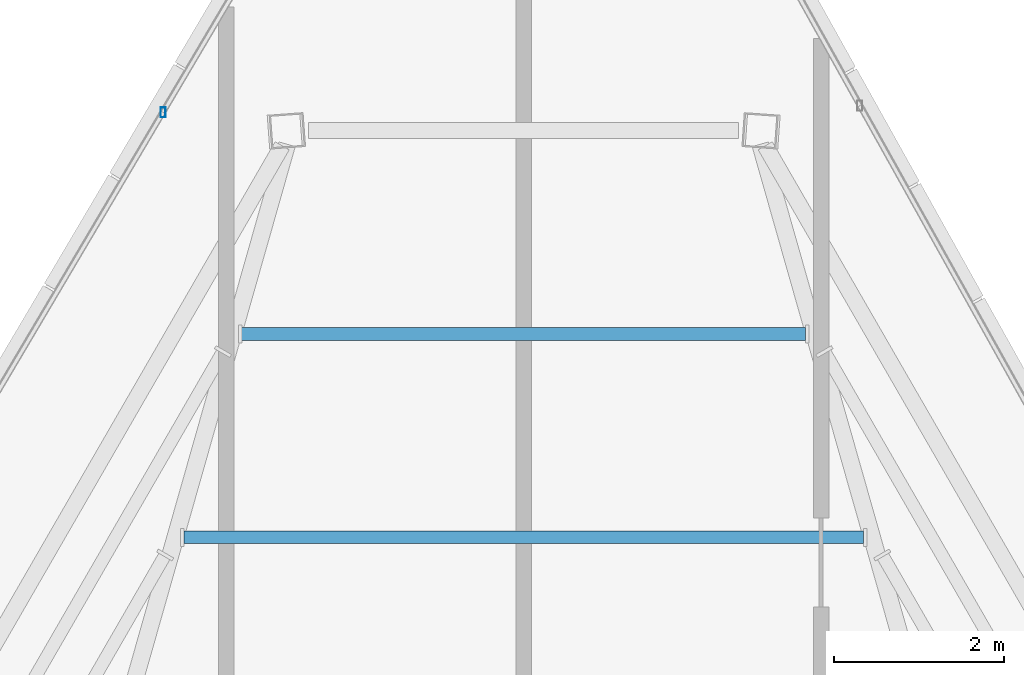
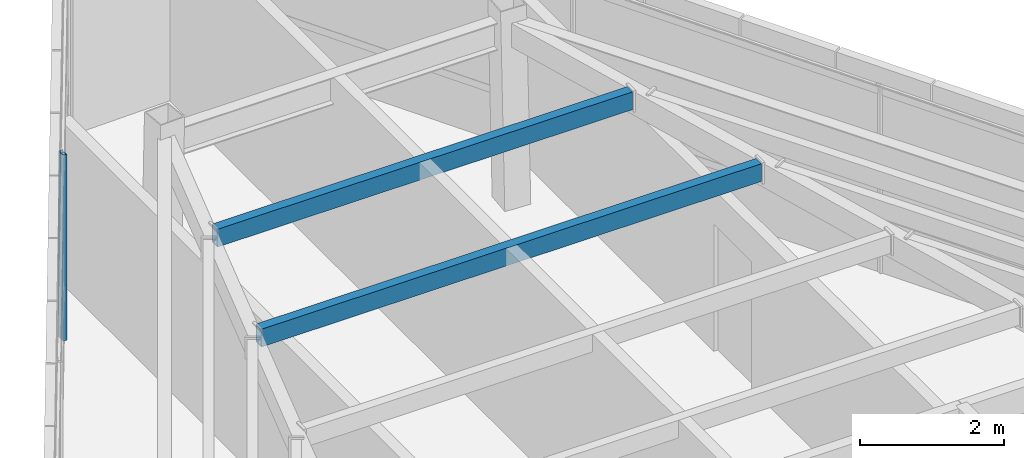
# One storey, part 34 of 48: 2 beams, 1 member, 1 element without a shape of its own.
"""IFC4 building model written with IfcOpenShell, lengths in metres."""

import ifcopenshell
import ifcopenshell.guid

model = None  # the IFC model being written
_history = None  # IfcOwnerHistory: only IFC2X3 demands one
_inside = {}  # id of a spatial element -> (the spatial element, [elements in it])
_under = {}  # id of a project, library or spatial element -> (it, [spatial elements below it])
_declared = {}  # id of a project -> (the project, [libraries it declares])
_typed = {}  # id of a type object -> (the type object, [elements of that type])
_made_of = {}  # id of a material, layer set ... -> (it, [elements and type objects made of it])


def new_model(schema):
    """Start an empty IFC model of exactly this schema.

    Asked for "IFC4X3", IfcOpenShell would pick the latest addendum, in which some entities
    have other attributes; the version numbers below select the first issue.
    IFC2X3 requires an IfcOwnerHistory on every rooted entity: one is made here for all.
    """
    global model, _history
    if schema == "IFC4X3":
        model = ifcopenshell.file(schema_version=(4, 3, 0, 0))
    else:
        model = ifcopenshell.file(schema=schema)
    _inside.clear()
    _under.clear()
    _declared.clear()
    _typed.clear()
    _made_of.clear()
    _history = None
    if model.schema == "IFC2X3":
        org = make("IfcOrganization", Name="unknown")
        user = make(
            "IfcPersonAndOrganization",
            ThePerson=make("IfcPerson", FamilyName="unknown"),
            TheOrganization=org,
        )
        app = make(
            "IfcApplication",
            ApplicationDeveloper=org,
            Version="unknown",
            ApplicationFullName="unknown",
            ApplicationIdentifier="unknown",
        )
        _history = make(
            "IfcOwnerHistory",
            OwningUser=user,
            OwningApplication=app,
            ChangeAction="ADDED",
            CreationDate=0,
        )
    return model


def make(cls, **values):
    """One entity of the class cls with the attributes given. An attribute that is None is left unset."""
    return model.create_entity(
        cls, **{name: value for name, value in values.items() if value is not None}
    )


def rooted(cls, **values):
    """An entity with a GlobalId (a new one), such as an element, a storey or a relation."""
    return make(cls, GlobalId=ifcopenshell.guid.new(), OwnerHistory=_history, **values)


def si_unit(unit_type, name, prefix=None):
    """IfcSIUnit, for example si_unit("LENGTHUNIT", "METRE", prefix="MILLI")."""
    return make("IfcSIUnit", UnitType=unit_type, Prefix=prefix, Name=name)


def assignment(units):
    """IfcUnitAssignment: the units of a project."""
    return None if units is None else make("IfcUnitAssignment", Units=units)


def point(xyz):
    """IfcCartesianPoint."""
    return None if xyz is None else make("IfcCartesianPoint", Coordinates=xyz)


def direction(xyz):
    """IfcDirection."""
    return None if xyz is None else make("IfcDirection", DirectionRatios=xyz)


def frame(location, z_axis=None, x_axis=None):
    """IfcAxis2Placement3D, a coordinate frame: its origin and axes. An axis left out is left unset."""
    return make(
        "IfcAxis2Placement3D",
        Location=point(location),
        Axis=direction(z_axis),
        RefDirection=direction(x_axis),
    )


def frame_2d(location, x_axis=None):
    """IfcAxis2Placement2D, a coordinate frame in the plane: its origin and x axis."""
    return make(
        "IfcAxis2Placement2D", Location=point(location), RefDirection=direction(x_axis)
    )


def origin():
    """The frame at (0, 0, 0) with its axes left unset."""
    return frame((0.0, 0.0, 0.0))


def origin_2d():
    """The frame at (0, 0) in the plane with its x axis left unset."""
    return frame_2d((0.0, 0.0))


def place(relative_to, where):
    """IfcLocalPlacement: puts the frame where relative to a parent placement (None: the world)."""
    return make(
        "IfcLocalPlacement", PlacementRelTo=relative_to, RelativePlacement=where
    )


def context(
    kind, dimensions, precision=None, world=None, true_north=None, identifier=None
):
    """IfcGeometricRepresentationContext, for example the 3D "Model" context."""
    return make(
        "IfcGeometricRepresentationContext",
        ContextIdentifier=identifier,
        ContextType=kind,
        CoordinateSpaceDimension=dimensions,
        Precision=precision,
        WorldCoordinateSystem=world,
        TrueNorth=true_north,
    )


def subcontext(parent, identifier, kind, view, scale=None):
    """IfcGeometricRepresentationSubContext, for example "Body" below "Model"."""
    return make(
        "IfcGeometricRepresentationSubContext",
        ContextIdentifier=identifier,
        ContextType=kind,
        ParentContext=parent,
        TargetScale=scale,
        TargetView=view,
    )


def project(units=None, contexts=None):
    """IfcProject with its units and contexts."""
    return rooted(
        "IfcProject",
        Name="project",
        RepresentationContexts=contexts,
        UnitsInContext=assignment(units),
    )


def spatial(cls, under=None, at=None, **own):
    """A site, building, storey or space (cls), placed at a placement, below another one or the project."""
    s = rooted(cls, ObjectPlacement=at, **own)
    if under is not None:
        _under.setdefault(under.id(), (under, []))[1].append(s)
    return s


def profile(cls, at=None, kind="AREA", **sizes):
    """A parametric profile (cls). Its sizes go by their IFC names, for example OverallWidth=200.0."""
    return make(cls, ProfileType=kind, Position=at, **sizes)


def hollow_rectangle(**sizes):
    """IfcRectangleHollowProfileDef."""
    return profile("IfcRectangleHollowProfileDef", **sizes)


def extrude(swept, where, along, depth):
    """IfcExtrudedAreaSolid: the profile swept, set in the frame where, extruded along a direction by depth."""
    return make(
        "IfcExtrudedAreaSolid",
        SweptArea=swept,
        Position=where,
        ExtrudedDirection=direction(along),
        Depth=depth,
    )


def shape(context_of_items, identifier, shape_type, items):
    """IfcShapeRepresentation: the items that make up one representation, for example the "Body"."""
    return make(
        "IfcShapeRepresentation",
        ContextOfItems=context_of_items,
        RepresentationIdentifier=identifier,
        RepresentationType=shape_type,
        Items=items,
    )


def source(mapping_origin, context_of_items, identifier, shape_type, items):
    """IfcRepresentationMap: a shape defined once, which mapped items show again and again."""
    return make(
        "IfcRepresentationMap",
        MappingOrigin=mapping_origin,
        MappedRepresentation=shape(context_of_items, identifier, shape_type, items),
    )


def transform(
    local_origin,
    x_axis=None,
    y_axis=None,
    z_axis=None,
    scale=None,
    scale2=None,
    scale3=None,
    uniform=True,
):
    """IfcCartesianTransformationOperator3D, or its non-uniform kind. x_axis, y_axis, z_axis: its Axis1, 2, 3."""
    if uniform:
        return make(
            "IfcCartesianTransformationOperator3D",
            Axis1=direction(x_axis),
            Axis2=direction(y_axis),
            LocalOrigin=point(local_origin),
            Scale=scale,
            Axis3=direction(z_axis),
        )
    return make(
        "IfcCartesianTransformationOperator3DnonUniform",
        Axis1=direction(x_axis),
        Axis2=direction(y_axis),
        LocalOrigin=point(local_origin),
        Scale=scale,
        Axis3=direction(z_axis),
        Scale2=scale2,
        Scale3=scale3,
    )


def mapped(mapping_source, mapping_target):
    """IfcMappedItem: shows the shape of a source again, moved by a transform."""
    return make(
        "IfcMappedItem", MappingSource=mapping_source, MappingTarget=mapping_target
    )


def material(Name=None, Category=None):
    """IfcMaterial."""
    return make("IfcMaterial", Name=Name, Category=Category)


def material_profile(
    of_material, cross_section, Name=None, Category=None, Priority=None
):
    """IfcMaterialProfile: a cross section and its material."""
    return make(
        "IfcMaterialProfile",
        Name=Name,
        Material=of_material,
        Profile=cross_section,
        Priority=Priority,
        Category=Category,
    )


def profile_set(profiles, Name=None, composite=None):
    """IfcMaterialProfileSet."""
    return make(
        "IfcMaterialProfileSet",
        Name=Name,
        MaterialProfiles=profiles,
        CompositeProfile=composite,
    )


def made_of(thing, what):
    """Note that an element or type object is made of a material, layer set ...; save() writes the relation."""
    if what is not None:
        _made_of.setdefault(what.id(), (what, []))[1].append(thing)
    return thing


def type_object(cls, material=None, **own):
    """A type object (cls), such as IfcWallType, which elements share."""
    return made_of(rooted(cls, **own), material)


def type_shapes(of_type, sources):
    """Give a type object the sources (RepresentationMaps) that its elements show as mapped items."""
    of_type.RepresentationMaps = sources


def element(
    cls,
    number,
    at=None,
    inside=None,
    cuts=None,
    type_object=None,
    material=None,
    context=None,
    identifier="Body",
    shape_type=None,
    held_by="IfcProductDefinitionShape",
    body=None,
    shapes=None,
    **own,
):
    """One element of the class cls, such as IfcWall. Its Tag is "e" and its number.

    at: its placement. inside: the storey or other place that contains it. cuts: it is an
    opening in that element (IfcRelVoidsElement). A single representation is given by context,
    identifier, shape_type and body (its items); several are given by shapes. held_by: the class
    of the entity that holds the representations. save() writes the other relations.
    """
    e = rooted(cls, Tag="e%d" % number, ObjectPlacement=at, **own)
    if body is not None:
        shapes = [shape(context, identifier, shape_type, body)]
    if shapes is not None:
        e.Representation = make(held_by, Representations=shapes)
    if inside is not None:
        _inside.setdefault(inside.id(), (inside, []))[1].append(e)
    if cuts is not None:
        rooted(
            "IfcRelVoidsElement", RelatingBuildingElement=cuts, RelatedOpeningElement=e
        )
    if type_object is not None:
        _typed.setdefault(type_object.id(), (type_object, []))[1].append(e)
    return made_of(e, material)


def aggregate(whole, parts):
    """IfcRelAggregates: a whole, such as a stair, and the parts it consists of."""
    return rooted("IfcRelAggregates", RelatingObject=whole, RelatedObjects=parts)


def save(model, path):
    """Write the relations noted so far, then the file.

    IfcRelAggregates (storeys below a building ...), IfcRelContainedInSpatialStructure (elements
    in a storey), IfcRelDefinesByType, IfcRelAssociatesMaterial and IfcRelDeclares: one each for
    every whole, place, type object, material and project.
    """
    for whole, parts in _under.values():
        aggregate(whole, parts)
    for where, things in _inside.values():
        rooted(
            "IfcRelContainedInSpatialStructure",
            RelatedElements=things,
            RelatingStructure=where,
        )
    for kind, things in _typed.values():
        rooted("IfcRelDefinesByType", RelatedObjects=things, RelatingType=kind)
    for what, things in _made_of.values():
        rooted("IfcRelAssociatesMaterial", RelatedObjects=things, RelatingMaterial=what)
    for by, libraries in _declared.values():
        rooted("IfcRelDeclares", RelatingContext=by, RelatedDefinitions=libraries)
    model.write(path)


model = new_model("IFC4")

# Units and contexts
model_context = context("Model", 3, precision=1e-05, world=origin(), true_north=direction((0.0, 1.0)))
body_context = subcontext(model_context, "Body", "Model", "MODEL_VIEW")
ifc_project = project(units=[si_unit("LENGTHUNIT", "METRE"), si_unit("AREAUNIT", "SQUARE_METRE"), si_unit("VOLUMEUNIT", "CUBIC_METRE"), si_unit("PLANEANGLEUNIT", "RADIAN"), si_unit("MASSUNIT", "GRAM", prefix="KILO")], contexts=[model_context])

# Site, building, storey
site_placement = place(None, origin())
site = spatial("IfcSite", under=ifc_project, at=site_placement, CompositionType="ELEMENT")
building_placement = place(site_placement, origin())
building = spatial("IfcBuilding", under=site, at=building_placement, Name="Caelisora Broadcast Tower", CompositionType="ELEMENT")
storey_placement = place(building_placement, frame((0.0, 0.0, 300.0)))
storey = spatial("IfcBuildingStorey", under=building, at=storey_placement, Name="L79", CompositionType="ELEMENT", Elevation=300.0)

# Beams
ifc_material_1 = material(Name="Steel Grade 350 (AS/NZS 1163 C350L0)", Category="steel")
ifc_material_profile_1 = material_profile(ifc_material_1, hollow_rectangle(XDim=0.14990234375, YDim=0.300048828125, WallThickness=0.010009765625, at=origin_2d()), Name="Steel Grade 350 (AS/NZS 1163 C350L0)")
ifc_profile_set_1 = profile_set([ifc_material_profile_1], Name="Steel Grade 350 (AS/NZS 1163 C350L0)")
beam_type = type_object("IfcBeamType", Name="SB05", PredefinedType="JOIST", material=ifc_profile_set_1)
shared_shape_1 = source(origin(), body_context, "Body", "SweptSolid", [
    extrude(hollow_rectangle(XDim=0.14990234375, YDim=0.300048828125, WallThickness=0.010009765625, at=origin_2d()), origin(), (0.0, 0.0, 1.0), 7.99609375),
])
beam_1_placement = place(storey_placement, frame((41.998046875, 41.96875, 3.0), z_axis=(-1.0, 0.0, 0.0), x_axis=(0.0, -1.0, 0.0)))
element("IfcBeam", 1, at=beam_1_placement, inside=storey, type_object=beam_type, Name="L79 beam SB05", PredefinedType="JOIST", context=body_context, shape_type="MappedRepresentation", body=[
    mapped(shared_shape_1, transform((0.0, 0.0, 0.0), scale=1.0)),
])
shared_shape_2 = source(origin(), body_context, "Body", "SweptSolid", [
    extrude(hollow_rectangle(XDim=0.14990234375, YDim=0.300048828125, WallThickness=0.010009765625, at=origin_2d()), origin(), (0.0, 0.0, 1.0), 6.63623046875),
])
type_shapes(beam_type, [shared_shape_1, shared_shape_2])
beam_2_placement = place(storey_placement, frame((41.318115234375, 44.362548828125, 3.0), z_axis=(-1.0, 0.0, 0.0), x_axis=(0.0, -1.0, 0.0)))
element("IfcBeam", 2, at=beam_2_placement, inside=storey, type_object=beam_type, Name="L79 beam SB05", PredefinedType="JOIST", context=body_context, shape_type="MappedRepresentation", body=[
    mapped(shared_shape_2, transform((0.0, 0.0, 0.0), scale=1.0)),
])

# Curtain wall, member
ifc_material_2 = material(Name="Unitised Aluminium Insulated Shadow-Box Spandrel Curtain Wall", Category="aluminium")
curtain_wall_type = type_object("IfcCurtainWallType", Name="CW-SP3", PredefinedType="NOTDEFINED", material=ifc_material_2)
curtain_wall_placement = place(storey_placement, origin())
curtain_wall = element("IfcCurtainWall", 3, at=curtain_wall_placement, inside=storey, type_object=curtain_wall_type, Name="L79 curtain wall CW-SP3", PredefinedType="NOTDEFINED")
ifc_material_3 = material(Name="Aluminium 6063-T6 Anodised Terracotta Bronze", Category="aluminium")
ifc_material_profile_2 = material_profile(ifc_material_3, hollow_rectangle(XDim=0.06005859375, YDim=0.1201171875, WallThickness=0.0029296875, at=origin_2d()), Name="Aluminium 6063-T6 Anodised Terracotta Bronze")
ifc_profile_set_2 = profile_set([ifc_material_profile_2], Name="Aluminium 6063-T6 Anodised Terracotta Bronze")
member_type = type_object("IfcMemberType", Name="CWM-04", PredefinedType="MULLION", material=ifc_profile_set_2)
shared_shape_3 = source(origin(), body_context, "Body", "SweptSolid", [
    extrude(hollow_rectangle(XDim=0.06005859375, YDim=0.1201171875, WallThickness=0.0029296875, at=origin_2d()), origin(), (0.0, 0.0, 1.0), 3.14990234375),
])
type_shapes(member_type, [shared_shape_3])
member_placement = place(storey_placement, frame((33.756591796875, 46.9697265625, 0.0), z_axis=(0.0, 0.0, 1.0), x_axis=(1.0, 0.0, 0.0)))
member = element("IfcMember", 4, at=member_placement, type_object=member_type, Name="L79-CW-B11 mullion #2", PredefinedType="MULLION", context=body_context, shape_type="MappedRepresentation", body=[
    mapped(shared_shape_3, transform((0.0, 0.0, 0.0), scale=1.0)),
])
aggregate(curtain_wall, [member])

save(model, "model.ifc")
